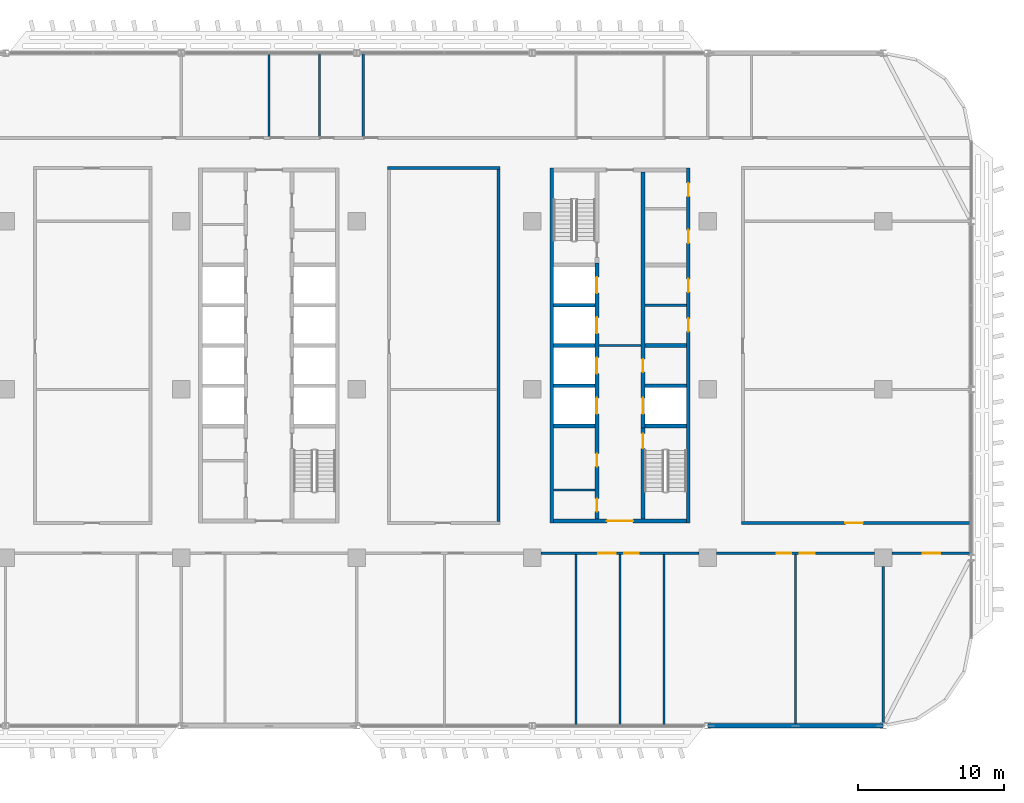
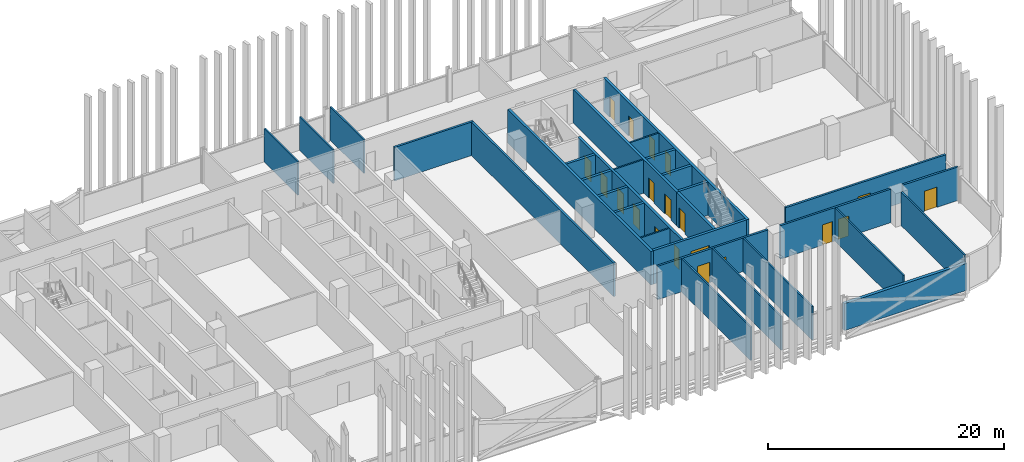
# One storey, part 16 of 28: 31 walls, 20 doors, 20 openings.
"""IFC4 building model written with IfcOpenShell, lengths in metres."""

from ifc_helpers import new_model, si_unit, direction, frame, frame_2d, origin, place, context, subcontext, project, spatial, rectangle, extrude, material, layer, layer_set, type_object, element, fill, save


model = new_model("IFC4")

# Units and contexts
model_context = context("Model", 3, precision=1e-05, world=origin(), true_north=direction((0.0, 1.0)))
body_context = subcontext(model_context, "Body", "Model", "MODEL_VIEW")
ifc_project = project(units=[si_unit("LENGTHUNIT", "METRE"), si_unit("AREAUNIT", "SQUARE_METRE"), si_unit("VOLUMEUNIT", "CUBIC_METRE"), si_unit("PLANEANGLEUNIT", "RADIAN"), si_unit("MASSUNIT", "GRAM", prefix="KILO")], contexts=[model_context])

# Site, building, storey
site_placement = place(None, origin())
site = spatial("IfcSite", under=ifc_project, at=site_placement, CompositionType="ELEMENT")
building_placement = place(site_placement, origin())
building = spatial("IfcBuilding", under=site, at=building_placement, Name="Mahtab Terrace Research Tower", CompositionType="ELEMENT")
storey_placement = place(building_placement, frame((0.0, 0.0, 174.39990234375)))
storey = spatial("IfcBuildingStorey", under=building, at=storey_placement, Name="L41", CompositionType="ELEMENT", Elevation=174.39990234375)

# Walls
ifc_material_1 = material(Name="Gypsum board partition")
ifc_layer_1 = layer(ifc_material_1, 0.14990234375)
ifc_layer_set_1 = layer_set([ifc_layer_1], Name="Core partition 150")
wall_type_1 = type_object("IfcWallType", Name="Core partition 150", PredefinedType="PARTITIONING", material=ifc_layer_set_1)
wall_1_placement = place(storey_placement, frame((22.550048828125, 3.0, 0.0), z_axis=(0.0, 0.0, 1.0), x_axis=(1.0, 0.0, 0.0)))
element("IfcWall", 1, at=wall_1_placement, inside=storey, type_object=wall_type_1, Name="Core wall C ffl", PredefinedType="PARTITIONING", context=body_context, shape_type="SweptSolid", body=[
    extrude(rectangle(XDim=2.89990234375, YDim=0.14990234375, at=frame_2d((1.449951171875, 0.0))), origin(), (0.0, 0.0, 1.0), 3.460205078125),
])
for number, where, z_axis, x_axis, name in (
    (2, (25.699951171875, 5.75, 0.0), (0.0, 0.0, 1.0), (1.0, 0.0, 0.0), "Core wall C pEL275"),
    (3, (19.449951171875, -6.875, 0.0), (0.0, 0.0, 1.0), (1.0, 0.0, 0.0), "Core wall C pWS-988"),
):
    element("IfcWall", number, at=place(storey_placement, frame(where, z_axis=z_axis, x_axis=x_axis)), inside=storey, type_object=wall_type_1, Name=name, PredefinedType="PARTITIONING", context=body_context, shape_type="SweptSolid", body=[
        extrude(rectangle(XDim=2.85009765625, YDim=0.14990234375, at=frame_2d((1.425048828125, 0.0))), origin(), (0.0, 0.0, 1.0), 3.460205078125),
    ])
ifc_material_2 = material(Name="Concrete C70/85", Category="concrete")
ifc_layer_2 = layer(ifc_material_2, 0.25)
ifc_layer_set_2 = layer_set([ifc_layer_2], Name="Core wall 250")
wall_type_2 = type_object("IfcWallType", Name="Core wall 250", PredefinedType="SOLIDWALL", material=ifc_layer_set_2)
wall_2_placement = place(storey_placement, frame((19.324951171875, 15.125, 0.0), z_axis=(0.0, 0.0, 1.0), x_axis=(0.0, -1.0, 0.0)))
element("IfcWall", 4, at=wall_2_placement, inside=storey, type_object=wall_type_2, Name="Core wall C outerW", PredefinedType="SOLIDWALL", context=body_context, shape_type="SweptSolid", body=[
    extrude(rectangle(XDim=24.25, YDim=0.25, at=frame_2d((12.125, 0.0))), origin(), (0.0, 0.0, 1.0), 3.460205078125),
])

# Wall, openings, doors
wall_3_placement = place(storey_placement, frame((28.675048828125, -9.125, 0.0), z_axis=(0.0, 0.0, 1.0), x_axis=(0.0, 1.0, 0.0)))
wall_3 = element("IfcWall", 5, at=wall_3_placement, inside=storey, type_object=wall_type_2, Name="Core wall C outerE", PredefinedType="SOLIDWALL", context=body_context, shape_type="SweptSolid", body=[
    extrude(rectangle(XDim=24.25, YDim=0.25, at=frame_2d((12.125, 0.0))), origin(), (0.0, 0.0, 1.0), 3.460205078125),
])
opening_1_placement = place(wall_3_placement, frame((13.074951171875, 0.0, 0.0)))
opening_1 = element("IfcOpeningElement", 6, at=opening_1_placement, cuts=wall_3, Name="Opening C-R2", PredefinedType="OPENING", context=body_context, shape_type="SweptSolid", body=[
    extrude(rectangle(XDim=0.89990234375, YDim=2.10009765625, at=frame_2d((0.449951171875, 1.050048828125))), frame((0.0, 0.135009765625, 0.0), z_axis=(0.0, -1.0, 0.0), x_axis=(1.0, 0.0, 0.0)), (0.0, 0.0, 1.0), 0.27001953125),
])
opening_2_placement = place(wall_3_placement, frame((15.77490234375, 0.0, 0.0)))
opening_2 = element("IfcOpeningElement", 7, at=opening_2_placement, cuts=wall_3, Name="Opening C-R3", PredefinedType="OPENING", context=body_context, shape_type="SweptSolid", body=[
    extrude(rectangle(XDim=0.89990234375, YDim=2.10009765625, at=frame_2d((0.449951171875, 1.050048828125))), frame((0.0, 0.135009765625, 0.0), z_axis=(0.0, -1.0, 0.0), x_axis=(1.0, 0.0, 0.0)), (0.0, 0.0, 1.0), 0.27001953125),
])
opening_3_placement = place(wall_3_placement, frame((19.125, 0.0, 0.0)))
opening_3 = element("IfcOpeningElement", 8, at=opening_3_placement, cuts=wall_3, Name="Opening C-R6", PredefinedType="OPENING", context=body_context, shape_type="SweptSolid", body=[
    extrude(rectangle(XDim=0.89990234375, YDim=2.10009765625, at=frame_2d((0.449951171875, 1.050048828125))), frame((0.0, 0.135009765625, 0.0), z_axis=(0.0, -1.0, 0.0), x_axis=(1.0, 0.0, 0.0)), (0.0, 0.0, 1.0), 0.27001953125),
])
opening_4_placement = place(wall_3_placement, frame((22.327392578125, 0.0, 0.0)))
opening_4 = element("IfcOpeningElement", 9, at=opening_4_placement, cuts=wall_3, Name="Opening C-R7", PredefinedType="OPENING", context=body_context, shape_type="SweptSolid", body=[
    extrude(rectangle(XDim=0.89990234375, YDim=2.10009765625, at=frame_2d((0.449951171875, 1.050048828125))), frame((0.0, 0.135009765625, 0.0), z_axis=(0.0, -1.0, 0.0), x_axis=(1.0, 0.0, 0.0)), (0.0, 0.0, 1.0), 0.27001953125),
])
ifc_material_3 = material(Name="Steel fire door", Category="steel")
door_type_1 = type_object("IfcDoorType", Name="Room door 900x2100 1 HR", OperationType="NOTDEFINED", PredefinedType="DOOR", material=ifc_material_3)
door_1_placement = place(opening_1_placement, origin())
door_1 = element("IfcDoor", 10, at=door_1_placement, inside=storey, type_object=door_type_1, Name="Document store door", OperationType="SINGLE_SWING_RIGHT", OverallHeight=2.10009765625, OverallWidth=0.89990234375, PredefinedType="DOOR", context=body_context, shape_type="SweptSolid", body=[
    extrude(rectangle(XDim=0.89990234375, YDim=2.10009765625, at=frame_2d((0.449951171875, 1.050048828125))), frame((0.0, 0.02490234375, 0.0), z_axis=(0.0, -1.0, 0.0), x_axis=(1.0, 0.0, 0.0)), (0.0, 0.0, 1.0), 0.050048828125),
])
fill(opening_1, door_1)
door_2_placement = place(opening_2_placement, origin())
door_2 = element("IfcDoor", 11, at=door_2_placement, inside=storey, type_object=door_type_1, Name="IT equipment room door", OperationType="SINGLE_SWING_LEFT", OverallHeight=2.10009765625, OverallWidth=0.89990234375, PredefinedType="DOOR", context=body_context, shape_type="SweptSolid", body=[
    extrude(rectangle(XDim=0.89990234375, YDim=2.10009765625, at=frame_2d((0.449951171875, 1.050048828125))), frame((0.0, 0.02490234375, 0.0), z_axis=(0.0, -1.0, 0.0), x_axis=(1.0, 0.0, 0.0)), (0.0, 0.0, 1.0), 0.050048828125),
])
fill(opening_2, door_2)
door_3_placement = place(opening_3_placement, origin())
door_3 = element("IfcDoor", 12, at=door_3_placement, inside=storey, type_object=door_type_1, Name="Pantry door", OperationType="SINGLE_SWING_RIGHT", OverallHeight=2.10009765625, OverallWidth=0.89990234375, PredefinedType="DOOR", context=body_context, shape_type="SweptSolid", body=[
    extrude(rectangle(XDim=0.89990234375, YDim=2.10009765625, at=frame_2d((0.449951171875, 1.050048828125))), frame((0.0, 0.02490234375, 0.0), z_axis=(0.0, -1.0, 0.0), x_axis=(1.0, 0.0, 0.0)), (0.0, 0.0, 1.0), 0.050048828125),
])
fill(opening_3, door_3)
door_4_placement = place(opening_4_placement, origin())
door_4 = element("IfcDoor", 13, at=door_4_placement, inside=storey, type_object=door_type_1, Name="Linen store door", OperationType="SINGLE_SWING_LEFT", OverallHeight=2.10009765625, OverallWidth=0.89990234375, PredefinedType="DOOR", context=body_context, shape_type="SweptSolid", body=[
    extrude(rectangle(XDim=0.89990234375, YDim=2.10009765625, at=frame_2d((0.449951171875, 1.050048828125))), frame((0.0, 0.02490234375, 0.0), z_axis=(0.0, -1.0, 0.0), x_axis=(1.0, 0.0, 0.0)), (0.0, 0.0, 1.0), 0.050048828125),
])
fill(opening_4, door_4)

# Wall, opening, door
wall_4_placement = place(storey_placement, frame((28.550048828125, -9.0, 0.0), z_axis=(0.0, 0.0, 1.0), x_axis=(-1.0, 0.0, 0.0)))
wall_4 = element("IfcWall", 14, at=wall_4_placement, inside=storey, type_object=wall_type_2, Name="Core wall C endS", PredefinedType="SOLIDWALL", context=body_context, shape_type="SweptSolid", body=[
    extrude(rectangle(XDim=9.10009765625, YDim=0.25, at=frame_2d((4.550048828125, 0.0))), origin(), (0.0, 0.0, 1.0), 3.460205078125),
])
opening_5_placement = place(wall_4_placement, frame((3.64990234375, 0.0, 0.0)))
opening_5 = element("IfcOpeningElement", 15, at=opening_5_placement, cuts=wall_4, Name="Opening C-S1", PredefinedType="OPENING", context=body_context, shape_type="SweptSolid", body=[
    extrude(rectangle(XDim=1.800048828125, YDim=2.10009765625, at=frame_2d((0.89990234375, 1.050048828125))), frame((0.0, 0.135009765625, 0.0), z_axis=(0.0, -1.0, 0.0), x_axis=(1.0, 0.0, 0.0)), (0.0, 0.0, 1.0), 0.27001953125),
])
door_type_2 = type_object("IfcDoorType", Name="Lobby double door 1800x2100 1 HR", OperationType="DOUBLE_DOOR_SINGLE_SWING", PredefinedType="DOOR", material=ifc_material_3)
door_5_placement = place(opening_5_placement, origin())
door_5 = element("IfcDoor", 16, at=door_5_placement, inside=storey, type_object=door_type_2, Name="Core entrance door C S", OperationType="DOUBLE_DOOR_SINGLE_SWING", OverallHeight=2.10009765625, OverallWidth=1.800048828125, PredefinedType="DOOR", context=body_context, shape_type="SweptSolid", body=[
    extrude(rectangle(XDim=1.800048828125, YDim=2.10009765625, at=frame_2d((0.89990234375, 1.050048828125))), frame((0.0, 0.02490234375, 0.0), z_axis=(0.0, -1.0, 0.0), x_axis=(1.0, 0.0, 0.0)), (0.0, 0.0, 1.0), 0.050048828125),
])
fill(opening_5, door_5)

# Wall, openings, doors
wall_5_placement = place(storey_placement, frame((22.425048828125, -8.875, 0.0), z_axis=(0.0, 0.0, 1.0), x_axis=(0.0, 1.0, 0.0)))
wall_5 = element("IfcWall", 17, at=wall_5_placement, inside=storey, type_object=wall_type_2, Name="Core wall C innerWSL", PredefinedType="SOLIDWALL", context=body_context, shape_type="SweptSolid", body=[
    extrude(rectangle(XDim=17.5, YDim=0.25, at=frame_2d((8.75, 0.0))), origin(), (0.0, 0.0, 1.0), 3.460205078125),
])
opening_6_placement = place(wall_5_placement, frame((7.199951171875, 0.0, 0.0)))
opening_6 = element("IfcOpeningElement", 18, at=opening_6_placement, cuts=wall_5, Name="Opening LD17-L41", PredefinedType="OPENING", context=body_context, shape_type="SweptSolid", body=[
    extrude(rectangle(XDim=1.10009765625, YDim=2.10009765625, at=frame_2d((0.550048828125, 1.050048828125))), frame((0.0, 0.135009765625, 0.0), z_axis=(0.0, -1.0, 0.0), x_axis=(1.0, 0.0, 0.0)), (0.0, 0.0, 1.0), 0.27001953125),
])
opening_7_placement = place(wall_5_placement, frame((9.949951171875, 0.0, 0.0)))
opening_7 = element("IfcOpeningElement", 19, at=opening_7_placement, cuts=wall_5, Name="Opening LD18-L41", PredefinedType="OPENING", context=body_context, shape_type="SweptSolid", body=[
    extrude(rectangle(XDim=1.10009765625, YDim=2.10009765625, at=frame_2d((0.550048828125, 1.050048828125))), frame((0.0, 0.135009765625, 0.0), z_axis=(0.0, -1.0, 0.0), x_axis=(1.0, 0.0, 0.0)), (0.0, 0.0, 1.0), 0.27001953125),
])
opening_8_placement = place(wall_5_placement, frame((12.699951171875, 0.0, 0.0)))
opening_8 = element("IfcOpeningElement", 20, at=opening_8_placement, cuts=wall_5, Name="Opening LD19-L41", PredefinedType="OPENING", context=body_context, shape_type="SweptSolid", body=[
    extrude(rectangle(XDim=1.10009765625, YDim=2.10009765625, at=frame_2d((0.550048828125, 1.050048828125))), frame((0.0, 0.135009765625, 0.0), z_axis=(0.0, -1.0, 0.0), x_axis=(1.0, 0.0, 0.0)), (0.0, 0.0, 1.0), 0.27001953125),
])
opening_9_placement = place(wall_5_placement, frame((15.449951171875, 0.0, 0.0)))
opening_9 = element("IfcOpeningElement", 21, at=opening_9_placement, cuts=wall_5, Name="Opening LD20-L41", PredefinedType="OPENING", context=body_context, shape_type="SweptSolid", body=[
    extrude(rectangle(XDim=1.10009765625, YDim=2.10009765625, at=frame_2d((0.550048828125, 1.050048828125))), frame((0.0, 0.135009765625, 0.0), z_axis=(0.0, -1.0, 0.0), x_axis=(1.0, 0.0, 0.0)), (0.0, 0.0, 1.0), 0.27001953125),
])
opening_10_placement = place(wall_5_placement, frame((0.512451171875, 0.0, 0.0)))
opening_10 = element("IfcOpeningElement", 22, at=opening_10_placement, cuts=wall_5, Name="Opening C-R4", PredefinedType="OPENING", context=body_context, shape_type="SweptSolid", body=[
    extrude(rectangle(XDim=0.89990234375, YDim=2.10009765625, at=frame_2d((0.449951171875, 1.050048828125))), frame((0.0, 0.135009765625, 0.0), z_axis=(0.0, -1.0, 0.0), x_axis=(1.0, 0.0, 0.0)), (0.0, 0.0, 1.0), 0.27001953125),
])
opening_11_placement = place(wall_5_placement, frame((3.58740234375, 0.0, 0.0)))
opening_11 = element("IfcOpeningElement", 23, at=opening_11_placement, cuts=wall_5, Name="Opening C-R5", PredefinedType="OPENING", context=body_context, shape_type="SweptSolid", body=[
    extrude(rectangle(XDim=0.89990234375, YDim=2.10009765625, at=frame_2d((0.449951171875, 1.050048828125))), frame((0.0, 0.135009765625, 0.0), z_axis=(0.0, -1.0, 0.0), x_axis=(1.0, 0.0, 0.0)), (0.0, 0.0, 1.0), 0.27001953125),
])
ifc_material_4 = material(Name="Stainless steel AISI 304", Category="steel")
door_type_3 = type_object("IfcDoorType", Name="Landing door 1100x2100", OperationType="DOUBLE_DOOR_SLIDING", PredefinedType="DOOR", material=ifc_material_4)
door_6_placement = place(opening_6_placement, origin())
door_6 = element("IfcDoor", 24, at=door_6_placement, inside=storey, type_object=door_type_3, Name="Landing door SV1 L41", OperationType="DOUBLE_DOOR_SLIDING", OverallHeight=2.10009765625, OverallWidth=1.10009765625, PredefinedType="DOOR", context=body_context, shape_type="SweptSolid", body=[
    extrude(rectangle(XDim=1.10009765625, YDim=2.10009765625, at=frame_2d((0.550048828125, 1.050048828125))), frame((0.0, 0.02490234375, 0.0), z_axis=(0.0, -1.0, 0.0), x_axis=(1.0, 0.0, 0.0)), (0.0, 0.0, 1.0), 0.050048828125),
])
fill(opening_6, door_6)
door_7_placement = place(opening_7_placement, origin())
door_7 = element("IfcDoor", 25, at=door_7_placement, inside=storey, type_object=door_type_3, Name="Landing door SV2 L41", OperationType="DOUBLE_DOOR_SLIDING", OverallHeight=2.10009765625, OverallWidth=1.10009765625, PredefinedType="DOOR", context=body_context, shape_type="SweptSolid", body=[
    extrude(rectangle(XDim=1.10009765625, YDim=2.10009765625, at=frame_2d((0.550048828125, 1.050048828125))), frame((0.0, 0.02490234375, 0.0), z_axis=(0.0, -1.0, 0.0), x_axis=(1.0, 0.0, 0.0)), (0.0, 0.0, 1.0), 0.050048828125),
])
fill(opening_7, door_7)
door_8_placement = place(opening_8_placement, origin())
door_8 = element("IfcDoor", 26, at=door_8_placement, inside=storey, type_object=door_type_3, Name="Landing door FF1 L41", OperationType="DOUBLE_DOOR_SLIDING", OverallHeight=2.10009765625, OverallWidth=1.10009765625, PredefinedType="DOOR", context=body_context, shape_type="SweptSolid", body=[
    extrude(rectangle(XDim=1.10009765625, YDim=2.10009765625, at=frame_2d((0.550048828125, 1.050048828125))), frame((0.0, 0.02490234375, 0.0), z_axis=(0.0, -1.0, 0.0), x_axis=(1.0, 0.0, 0.0)), (0.0, 0.0, 1.0), 0.050048828125),
])
fill(opening_8, door_8)
door_9_placement = place(opening_9_placement, origin())
door_9 = element("IfcDoor", 27, at=door_9_placement, inside=storey, type_object=door_type_3, Name="Landing door FF2 L41", OperationType="DOUBLE_DOOR_SLIDING", OverallHeight=2.10009765625, OverallWidth=1.10009765625, PredefinedType="DOOR", context=body_context, shape_type="SweptSolid", body=[
    extrude(rectangle(XDim=1.10009765625, YDim=2.10009765625, at=frame_2d((0.550048828125, 1.050048828125))), frame((0.0, 0.02490234375, 0.0), z_axis=(0.0, -1.0, 0.0), x_axis=(1.0, 0.0, 0.0)), (0.0, 0.0, 1.0), 0.050048828125),
])
fill(opening_9, door_9)
door_10_placement = place(opening_10_placement, origin())
door_10 = element("IfcDoor", 28, at=door_10_placement, inside=storey, type_object=door_type_1, Name="Accessible WC door", OperationType="SINGLE_SWING_RIGHT", OverallHeight=2.10009765625, OverallWidth=0.89990234375, PredefinedType="DOOR", context=body_context, shape_type="SweptSolid", body=[
    extrude(rectangle(XDim=0.89990234375, YDim=2.10009765625, at=frame_2d((0.449951171875, 1.050048828125))), frame((0.0, 0.02490234375, 0.0), z_axis=(0.0, -1.0, 0.0), x_axis=(1.0, 0.0, 0.0)), (0.0, 0.0, 1.0), 0.050048828125),
])
fill(opening_10, door_10)
door_11_placement = place(opening_11_placement, origin())
door_11 = element("IfcDoor", 29, at=door_11_placement, inside=storey, type_object=door_type_1, Name="WC block door", OperationType="SINGLE_SWING_LEFT", OverallHeight=2.10009765625, OverallWidth=0.89990234375, PredefinedType="DOOR", context=body_context, shape_type="SweptSolid", body=[
    extrude(rectangle(XDim=0.89990234375, YDim=2.10009765625, at=frame_2d((0.449951171875, 1.050048828125))), frame((0.0, 0.02490234375, 0.0), z_axis=(0.0, -1.0, 0.0), x_axis=(1.0, 0.0, 0.0)), (0.0, 0.0, 1.0), 0.050048828125),
])
fill(opening_11, door_11)

# Wall, opening, door
wall_6_placement = place(storey_placement, frame((25.574951171875, -8.875, 0.0), z_axis=(0.0, 0.0, 1.0), x_axis=(0.0, 1.0, 0.0)))
wall_6 = element("IfcWall", 30, at=wall_6_placement, inside=storey, type_object=wall_type_2, Name="Core wall C innerES", PredefinedType="SOLIDWALL", context=body_context, shape_type="SweptSolid", body=[
    extrude(rectangle(XDim=6.25, YDim=0.25, at=frame_2d((3.125, 0.0))), origin(), (0.0, 0.0, 1.0), 3.460205078125),
])
opening_12_placement = place(wall_6_placement, frame((4.85009765625, 0.0, 0.0)))
opening_12 = element("IfcOpeningElement", 31, at=opening_12_placement, cuts=wall_6, Name="Opening C-ST4", PredefinedType="OPENING", context=body_context, shape_type="SweptSolid", body=[
    extrude(rectangle(XDim=1.0, YDim=2.10009765625, at=frame_2d((0.5, 1.050048828125))), frame((0.0, 0.135009765625, 0.0), z_axis=(0.0, -1.0, 0.0), x_axis=(1.0, 0.0, 0.0)), (0.0, 0.0, 1.0), 0.27001953125),
])
door_type_4 = type_object("IfcDoorType", Name="Stair door 1000x2100 1.5 HR", OperationType="NOTDEFINED", PredefinedType="DOOR", material=ifc_material_3)
door_12_placement = place(opening_12_placement, origin())
door_12 = element("IfcDoor", 32, at=door_12_placement, inside=storey, type_object=door_type_4, Name="Stair door ST4 L41", OperationType="SINGLE_SWING_LEFT", OverallHeight=2.10009765625, OverallWidth=1.0, PredefinedType="DOOR", context=body_context, shape_type="SweptSolid", body=[
    extrude(rectangle(XDim=1.0, YDim=2.10009765625, at=frame_2d((0.5, 1.050048828125))), frame((0.0, 0.02490234375, 0.0), z_axis=(0.0, -1.0, 0.0), x_axis=(1.0, 0.0, 0.0)), (0.0, 0.0, 1.0), 0.050048828125),
])
fill(opening_12, door_12)

# Wall, openings, doors
wall_7_placement = place(storey_placement, frame((25.574951171875, 14.875, 0.0), z_axis=(0.0, 0.0, 1.0), x_axis=(0.0, -1.0, 0.0)))
wall_7 = element("IfcWall", 33, at=wall_7_placement, inside=storey, type_object=wall_type_2, Name="Core wall C innerELN", PredefinedType="SOLIDWALL", context=body_context, shape_type="SweptSolid", body=[
    extrude(rectangle(XDim=17.5, YDim=0.25, at=frame_2d((8.75, 0.0))), origin(), (0.0, 0.0, 1.0), 3.460205078125),
])
opening_13_placement = place(wall_7_placement, frame((15.449951171875, 0.0, 0.0)))
opening_13 = element("IfcOpeningElement", 34, at=opening_13_placement, cuts=wall_7, Name="Opening LD21-L41", PredefinedType="OPENING", context=body_context, shape_type="SweptSolid", body=[
    extrude(rectangle(XDim=1.10009765625, YDim=2.10009765625, at=frame_2d((0.550048828125, 1.050048828125))), frame((0.0, 0.135009765625, 0.0), z_axis=(0.0, -1.0, 0.0), x_axis=(1.0, 0.0, 0.0)), (0.0, 0.0, 1.0), 0.27001953125),
])
opening_14_placement = place(wall_7_placement, frame((12.800048828125, 0.0, 0.0)))
opening_14 = element("IfcOpeningElement", 35, at=opening_14_placement, cuts=wall_7, Name="Opening C-R1", PredefinedType="OPENING", context=body_context, shape_type="SweptSolid", body=[
    extrude(rectangle(XDim=0.89990234375, YDim=2.10009765625, at=frame_2d((0.449951171875, 1.050048828125))), frame((0.0, 0.135009765625, 0.0), z_axis=(0.0, -1.0, 0.0), x_axis=(1.0, 0.0, 0.0)), (0.0, 0.0, 1.0), 0.27001953125),
])
door_13_placement = place(opening_13_placement, origin())
door_13 = element("IfcDoor", 36, at=door_13_placement, inside=storey, type_object=door_type_3, Name="Landing door SV3 L41", OperationType="DOUBLE_DOOR_SLIDING", OverallHeight=2.10009765625, OverallWidth=1.10009765625, PredefinedType="DOOR", context=body_context, shape_type="SweptSolid", body=[
    extrude(rectangle(XDim=1.10009765625, YDim=2.10009765625, at=frame_2d((0.550048828125, 1.050048828125))), frame((0.0, 0.02490234375, 0.0), z_axis=(0.0, -1.0, 0.0), x_axis=(1.0, 0.0, 0.0)), (0.0, 0.0, 1.0), 0.050048828125),
])
fill(opening_13, door_13)
door_14_placement = place(opening_14_placement, origin())
door_14 = element("IfcDoor", 37, at=door_14_placement, inside=storey, type_object=door_type_1, Name="Plant room door", OperationType="SINGLE_SWING_LEFT", OverallHeight=2.10009765625, OverallWidth=0.89990234375, PredefinedType="DOOR", context=body_context, shape_type="SweptSolid", body=[
    extrude(rectangle(XDim=0.89990234375, YDim=2.10009765625, at=frame_2d((0.449951171875, 1.050048828125))), frame((0.0, 0.02490234375, 0.0), z_axis=(0.0, -1.0, 0.0), x_axis=(1.0, 0.0, 0.0)), (0.0, 0.0, 1.0), 0.050048828125),
])
fill(opening_14, door_14)

# Walls
for number, where, z_axis, x_axis, name in (
    (38, (19.449951171875, -2.5, 0.0), (0.0, 0.0, 1.0), (1.0, 0.0, 0.0), "Core wall C divW0"),
    (39, (19.449951171875, 0.25, 0.0), (0.0, 0.0, 1.0), (1.0, 0.0, 0.0), "Core wall C divW1"),
    (40, (19.449951171875, 3.0, 0.0), (0.0, 0.0, 1.0), (1.0, 0.0, 0.0), "Core wall C divW2"),
    (41, (19.449951171875, 5.75, 0.0), (0.0, 0.0, 1.0), (1.0, 0.0, 0.0), "Core wall C divW3"),
    (42, (25.699951171875, -2.5, 0.0), (0.0, 0.0, 1.0), (1.0, 0.0, 0.0), "Core wall C divE0"),
    (43, (25.699951171875, 0.25, 0.0), (0.0, 0.0, 1.0), (1.0, 0.0, 0.0), "Core wall C divE1"),
    (44, (25.699951171875, 3.0, 0.0), (0.0, 0.0, 1.0), (1.0, 0.0, 0.0), "Core wall C divE2"),
):
    element("IfcWall", number, at=place(storey_placement, frame(where, z_axis=z_axis, x_axis=x_axis)), inside=storey, type_object=wall_type_2, Name=name, PredefinedType="SOLIDWALL", context=body_context, shape_type="SweptSolid", body=[
        extrude(rectangle(XDim=2.85009765625, YDim=0.25, at=frame_2d((1.425048828125, 0.0))), origin(), (0.0, 0.0, 1.0), 3.460205078125),
    ])
ifc_material_5 = material(Name="Black aluminium cladding panel", Category="aluminium")
ifc_layer_3 = layer(ifc_material_5, 0.300048828125)
ifc_layer_set_3 = layer_set([ifc_layer_3], Name="Opaque facade wall 300")
wall_type_3 = type_object("IfcWallType", Name="Opaque facade wall 300", PredefinedType="NOTDEFINED", material=ifc_layer_set_3)
wall_8_placement = place(storey_placement, frame((30.014892578125, -23.0, 0.0), z_axis=(0.0, 0.0, 1.0), x_axis=(1.0, 0.0, 0.0)))
element("IfcWall", 45, at=wall_8_placement, inside=storey, type_object=wall_type_3, Name="Opaque facade wall L41 S29", PredefinedType="NOTDEFINED", context=body_context, shape_type="SweptSolid", body=[
    extrude(rectangle(XDim=11.97021484375, YDim=0.300048828125, at=frame_2d((5.985107421875, 0.0))), origin(), (0.0, 0.0, 1.0), 2.781982421875),
])

# Wall, openings, doors
ifc_material_6 = material(Name="Gypsum board corridor wall on steel studs", Category="steel")
ifc_layer_4 = layer(ifc_material_6, 0.199951171875)
ifc_layer_set_4 = layer_set([ifc_layer_4], Name="WALL CORRIDOR 200")
wall_type_4 = type_object("IfcWallType", Name="WALL CORRIDOR 200", PredefinedType="PARTITIONING", material=ifc_layer_set_4)
wall_9_placement = place(storey_placement, frame((18.60009765625, -11.199951171875, 0.0), z_axis=(0.0, 0.0, 1.0), x_axis=(1.0, 0.0, 0.0)))
wall_9 = element("IfcWall", 46, at=wall_9_placement, inside=storey, type_object=wall_type_4, Name="L41-W007", PredefinedType="PARTITIONING", context=body_context, shape_type="SweptSolid", body=[
    extrude(rectangle(XDim=10.7998046875, YDim=0.199951171875, at=frame_2d((5.39990234375, 0.0))), origin(), (0.0, 0.0, 1.0), 3.460205078125),
])
opening_15_placement = place(wall_9_placement, frame((3.89990234375, 0.0, 0.0)))
opening_15 = element("IfcOpeningElement", 47, at=opening_15_placement, cuts=wall_9, Name="Opening L41-112", PredefinedType="OPENING", context=body_context, shape_type="SweptSolid", body=[
    extrude(rectangle(XDim=1.199951171875, YDim=2.10009765625, at=frame_2d((0.60009765625, 1.050048828125))), frame((0.0, 0.10986328125, 0.0), z_axis=(0.0, -1.0, 0.0), x_axis=(1.0, 0.0, 0.0)), (0.0, 0.0, 1.0), 0.219970703125),
])
opening_16_placement = place(wall_9_placement, frame((5.699951171875, 0.0, 0.0)))
opening_16 = element("IfcOpeningElement", 48, at=opening_16_placement, cuts=wall_9, Name="Opening L41-113", PredefinedType="OPENING", context=body_context, shape_type="SweptSolid", body=[
    extrude(rectangle(XDim=1.0, YDim=2.10009765625, at=frame_2d((0.5, 1.050048828125))), frame((0.0, 0.10986328125, 0.0), z_axis=(0.0, -1.0, 0.0), x_axis=(1.0, 0.0, 0.0)), (0.0, 0.0, 1.0), 0.219970703125),
])
ifc_material_7 = material(Name="Timber door leaf in steel frame", Category="steel")
door_type_5 = type_object("IfcDoorType", Name="DOOR 1000X2100 FD30S", OperationType="SINGLE_SWING_LEFT", PredefinedType="DOOR", material=ifc_material_7)
door_15_placement = place(opening_16_placement, origin())
door_15 = element("IfcDoor", 49, at=door_15_placement, inside=storey, type_object=door_type_5, Name="Door L41-113", OperationType="SINGLE_SWING_LEFT", OverallHeight=2.10009765625, OverallWidth=1.0, PredefinedType="DOOR", context=body_context, shape_type="SweptSolid", body=[
    extrude(rectangle(XDim=1.0, YDim=2.10009765625, at=frame_2d((0.5, 1.050048828125))), frame((0.0, 0.02490234375, 0.0), z_axis=(0.0, -1.0, 0.0), x_axis=(1.0, 0.0, 0.0)), (0.0, 0.0, 1.0), 0.050048828125),
])
fill(opening_16, door_15)
door_type_6 = type_object("IfcDoorType", Name="DOOR 1200X2100 FD30S", OperationType="SINGLE_SWING_LEFT", PredefinedType="DOOR", material=ifc_material_7)
door_16_placement = place(opening_15_placement, origin())
door_16 = element("IfcDoor", 50, at=door_16_placement, inside=storey, type_object=door_type_6, Name="Door L41-112", OperationType="SINGLE_SWING_RIGHT", OverallHeight=2.10009765625, OverallWidth=1.199951171875, PredefinedType="DOOR", context=body_context, shape_type="SweptSolid", body=[
    extrude(rectangle(XDim=1.199951171875, YDim=2.10009765625, at=frame_2d((0.60009765625, 1.050048828125))), frame((0.0, 0.02490234375, 0.0), z_axis=(0.0, -1.0, 0.0), x_axis=(1.0, 0.0, 0.0)), (0.0, 0.0, 1.0), 0.050048828125),
])
fill(opening_15, door_16)

wall_10_placement = place(storey_placement, frame((30.60009765625, -11.199951171875, 0.0), z_axis=(0.0, 0.0, 1.0), x_axis=(1.0, 0.0, 0.0)))
wall_10 = element("IfcWall", 51, at=wall_10_placement, inside=storey, type_object=wall_type_4, Name="L41-W008", PredefinedType="PARTITIONING", context=body_context, shape_type="SweptSolid", body=[
    extrude(rectangle(XDim=10.7998046875, YDim=0.199951171875, at=frame_2d((5.39990234375, 0.0))), origin(), (0.0, 0.0, 1.0), 3.460205078125),
])
opening_17_placement = place(wall_10_placement, frame((4.10009765625, 0.0, 0.0)))
opening_17 = element("IfcOpeningElement", 52, at=opening_17_placement, cuts=wall_10, Name="Opening L41-114", PredefinedType="OPENING", context=body_context, shape_type="SweptSolid", body=[
    extrude(rectangle(XDim=1.0, YDim=2.10009765625, at=frame_2d((0.5, 1.050048828125))), frame((0.0, 0.10986328125, 0.0), z_axis=(0.0, -1.0, 0.0), x_axis=(1.0, 0.0, 0.0)), (0.0, 0.0, 1.0), 0.219970703125),
])
opening_18_placement = place(wall_10_placement, frame((5.699951171875, 0.0, 0.0)))
opening_18 = element("IfcOpeningElement", 53, at=opening_18_placement, cuts=wall_10, Name="Opening L41-115", PredefinedType="OPENING", context=body_context, shape_type="SweptSolid", body=[
    extrude(rectangle(XDim=1.0, YDim=2.10009765625, at=frame_2d((0.5, 1.050048828125))), frame((0.0, 0.10986328125, 0.0), z_axis=(0.0, -1.0, 0.0), x_axis=(1.0, 0.0, 0.0)), (0.0, 0.0, 1.0), 0.219970703125),
])
door_17_placement = place(opening_17_placement, origin())
door_17 = element("IfcDoor", 54, at=door_17_placement, inside=storey, type_object=door_type_5, Name="Door L41-114", OperationType="SINGLE_SWING_RIGHT", OverallHeight=2.10009765625, OverallWidth=1.0, PredefinedType="DOOR", context=body_context, shape_type="SweptSolid", body=[
    extrude(rectangle(XDim=1.0, YDim=2.10009765625, at=frame_2d((0.5, 1.050048828125))), frame((0.0, 0.02490234375, 0.0), z_axis=(0.0, -1.0, 0.0), x_axis=(1.0, 0.0, 0.0)), (0.0, 0.0, 1.0), 0.050048828125),
])
fill(opening_17, door_17)
door_18_placement = place(opening_18_placement, origin())
door_18 = element("IfcDoor", 55, at=door_18_placement, inside=storey, type_object=door_type_5, Name="Door L41-115", OperationType="SINGLE_SWING_LEFT", OverallHeight=2.10009765625, OverallWidth=1.0, PredefinedType="DOOR", context=body_context, shape_type="SweptSolid", body=[
    extrude(rectangle(XDim=1.0, YDim=2.10009765625, at=frame_2d((0.5, 1.050048828125))), frame((0.0, 0.02490234375, 0.0), z_axis=(0.0, -1.0, 0.0), x_axis=(1.0, 0.0, 0.0)), (0.0, 0.0, 1.0), 0.050048828125),
])
fill(opening_18, door_18)

# Wall, opening, door
wall_11_placement = place(storey_placement, frame((42.60009765625, -11.199951171875, 0.0), z_axis=(0.0, 0.0, 1.0), x_axis=(1.0, 0.0, 0.0)))
wall_11 = element("IfcWall", 56, at=wall_11_placement, inside=storey, type_object=wall_type_4, Name="L41-W009", PredefinedType="PARTITIONING", context=body_context, shape_type="SweptSolid", body=[
    extrude(rectangle(XDim=5.375, YDim=0.199951171875, at=frame_2d((2.6875, 0.0))), origin(), (0.0, 0.0, 1.0), 3.460205078125),
])
opening_19_placement = place(wall_11_placement, frame((2.10009765625, 0.0, 0.0)))
opening_19 = element("IfcOpeningElement", 57, at=opening_19_placement, cuts=wall_11, Name="Opening L41-116", PredefinedType="OPENING", context=body_context, shape_type="SweptSolid", body=[
    extrude(rectangle(XDim=1.199951171875, YDim=2.10009765625, at=frame_2d((0.60009765625, 1.050048828125))), frame((0.0, 0.10986328125, 0.0), z_axis=(0.0, -1.0, 0.0), x_axis=(1.0, 0.0, 0.0)), (0.0, 0.0, 1.0), 0.219970703125),
])
door_19_placement = place(opening_19_placement, origin())
door_19 = element("IfcDoor", 58, at=door_19_placement, inside=storey, type_object=door_type_6, Name="Door L41-116", OperationType="SINGLE_SWING_LEFT", OverallHeight=2.10009765625, OverallWidth=1.199951171875, PredefinedType="DOOR", context=body_context, shape_type="SweptSolid", body=[
    extrude(rectangle(XDim=1.199951171875, YDim=2.10009765625, at=frame_2d((0.60009765625, 1.050048828125))), frame((0.0, 0.02490234375, 0.0), z_axis=(0.0, -1.0, 0.0), x_axis=(1.0, 0.0, 0.0)), (0.0, 0.0, 1.0), 0.050048828125),
])
fill(opening_19, door_19)

wall_12_placement = place(storey_placement, frame((32.300048828125, -9.125, 0.0), z_axis=(0.0, 0.0, 1.0), x_axis=(1.0, 0.0, 0.0)))
wall_12 = element("IfcWall", 59, at=wall_12_placement, inside=storey, type_object=wall_type_4, Name="L41-W013", PredefinedType="PARTITIONING", context=body_context, shape_type="SweptSolid", body=[
    extrude(rectangle(XDim=15.675048828125, YDim=0.199951171875, at=frame_2d((7.83740234375, 0.0))), origin(), (0.0, 0.0, 1.0), 3.460205078125),
])
opening_20_placement = place(wall_12_placement, frame((7.10009765625, 0.0, 0.0)))
opening_20 = element("IfcOpeningElement", 60, at=opening_20_placement, cuts=wall_12, Name="Opening L41-120", PredefinedType="OPENING", context=body_context, shape_type="SweptSolid", body=[
    extrude(rectangle(XDim=1.199951171875, YDim=2.10009765625, at=frame_2d((0.60009765625, 1.050048828125))), frame((0.0, 0.10986328125, 0.0), z_axis=(0.0, -1.0, 0.0), x_axis=(1.0, 0.0, 0.0)), (0.0, 0.0, 1.0), 0.219970703125),
])
door_20_placement = place(opening_20_placement, origin())
door_20 = element("IfcDoor", 61, at=door_20_placement, inside=storey, type_object=door_type_6, Name="Door L41-120", OperationType="SINGLE_SWING_LEFT", OverallHeight=2.10009765625, OverallWidth=1.199951171875, PredefinedType="DOOR", context=body_context, shape_type="SweptSolid", body=[
    extrude(rectangle(XDim=1.199951171875, YDim=2.10009765625, at=frame_2d((0.60009765625, 1.050048828125))), frame((0.0, 0.02490234375, 0.0), z_axis=(0.0, -1.0, 0.0), x_axis=(1.0, 0.0, 0.0)), (0.0, 0.0, 1.0), 0.050048828125),
])
fill(opening_20, door_20)

# Walls
wall_13_placement = place(storey_placement, frame((8.10009765625, 15.125, 0.0), z_axis=(0.0, 0.0, 1.0), x_axis=(1.0, 0.0, 0.0)))
element("IfcWall", 62, at=wall_13_placement, inside=storey, type_object=wall_type_4, Name="L41-W025", PredefinedType="PARTITIONING", context=body_context, shape_type="SweptSolid", body=[
    extrude(rectangle(XDim=7.699951171875, YDim=0.199951171875, at=frame_2d((3.85009765625, 0.0))), origin(), (0.0, 0.0, 1.0), 3.460205078125),
])
wall_14_placement = place(storey_placement, frame((15.699951171875, -9.02490234375, 0.0), z_axis=(0.0, 0.0, 1.0), x_axis=(0.0, 1.0, 0.0)))
element("IfcWall", 63, at=wall_14_placement, inside=storey, type_object=wall_type_4, Name="L41-W050", PredefinedType="PARTITIONING", context=body_context, shape_type="SweptSolid", body=[
    extrude(rectangle(XDim=24.0498046875, YDim=0.199951171875, at=frame_2d((12.02490234375, 0.0))), origin(), (0.0, 0.0, 1.0), 3.460205078125),
])
ifc_material_8 = material(Name="Gypsum board partition on steel studs", Category="steel")
ifc_layer_5 = layer(ifc_material_8, 0.14990234375)
ifc_layer_set_5 = layer_set([ifc_layer_5], Name="WALL PARTITION 150")
wall_type_5 = type_object("IfcWallType", Name="WALL PARTITION 150", PredefinedType="PARTITIONING", material=ifc_layer_set_5)
for number, where, z_axis, x_axis, name in (
    (64, (0.0, 17.300048828125, 0.0), (0.0, 0.0, 1.0), (0.0, 1.0, 0.0), "L41-W044"),
    (65, (3.449951171875, 17.300048828125, 0.0), (0.0, 0.0, 1.0), (0.0, 1.0, 0.0), "L41-W045"),
    (66, (6.449951171875, 17.300048828125, 0.0), (0.0, 0.0, 1.0), (0.0, 1.0, 0.0), "L41-W047"),
):
    element("IfcWall", number, at=place(storey_placement, frame(where, z_axis=z_axis, x_axis=x_axis)), inside=storey, type_object=wall_type_5, Name=name, PredefinedType="PARTITIONING", context=body_context, shape_type="SweptSolid", body=[
        extrude(rectangle(XDim=5.675048828125, YDim=0.14990234375, at=frame_2d((2.83740234375, 0.0))), origin(), (0.0, 0.0, 1.0), 3.460205078125),
    ])
for number, where, z_axis, x_axis, name in (
    (67, (21.0, -22.97509765625, 0.0), (0.0, 0.0, 1.0), (0.0, 1.0, 0.0), "L41-W051"),
    (68, (24.0, -22.97509765625, 0.0), (0.0, 0.0, 1.0), (0.0, 1.0, 0.0), "L41-W053"),
    (69, (27.0, -22.97509765625, 0.0), (0.0, 0.0, 1.0), (0.0, 1.0, 0.0), "L41-W054"),
):
    element("IfcWall", number, at=place(storey_placement, frame(where, z_axis=z_axis, x_axis=x_axis)), inside=storey, type_object=wall_type_5, Name=name, PredefinedType="PARTITIONING", context=body_context, shape_type="SweptSolid", body=[
        extrude(rectangle(XDim=11.675048828125, YDim=0.14990234375, at=frame_2d((5.83740234375, 0.0))), origin(), (0.0, 0.0, 1.0), 3.460205078125),
    ])
wall_15_placement = place(storey_placement, frame((36.0, -22.85009765625, 0.0), z_axis=(0.0, 0.0, 1.0), x_axis=(0.0, 1.0, 0.0)))
element("IfcWall", 70, at=wall_15_placement, inside=storey, type_object=wall_type_5, Name="L41-W059", PredefinedType="PARTITIONING", context=body_context, shape_type="SweptSolid", body=[
    extrude(rectangle(XDim=11.550048828125, YDim=0.14990234375, at=frame_2d((5.77490234375, 0.0))), origin(), (0.0, 0.0, 1.0), 3.460205078125),
])
wall_16_placement = place(storey_placement, frame((42.0, -22.84716796875, 0.0), z_axis=(0.0, 0.0, 1.0), x_axis=(0.0, 1.0, 0.0)))
element("IfcWall", 71, at=wall_16_placement, inside=storey, type_object=wall_type_5, Name="L41-W060", PredefinedType="PARTITIONING", context=body_context, shape_type="SweptSolid", body=[
    extrude(rectangle(XDim=10.7470703125, YDim=0.14990234375, at=frame_2d((5.37353515625, 0.0))), origin(), (0.0, 0.0, 1.0), 3.460205078125),
])

save(model, "model.ifc")
